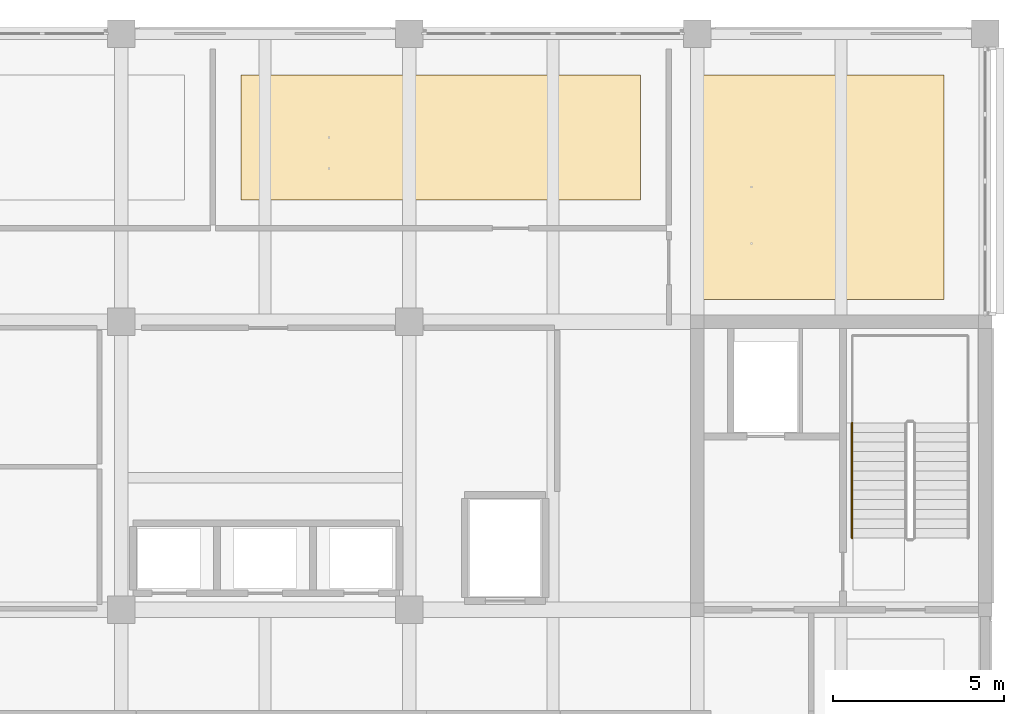
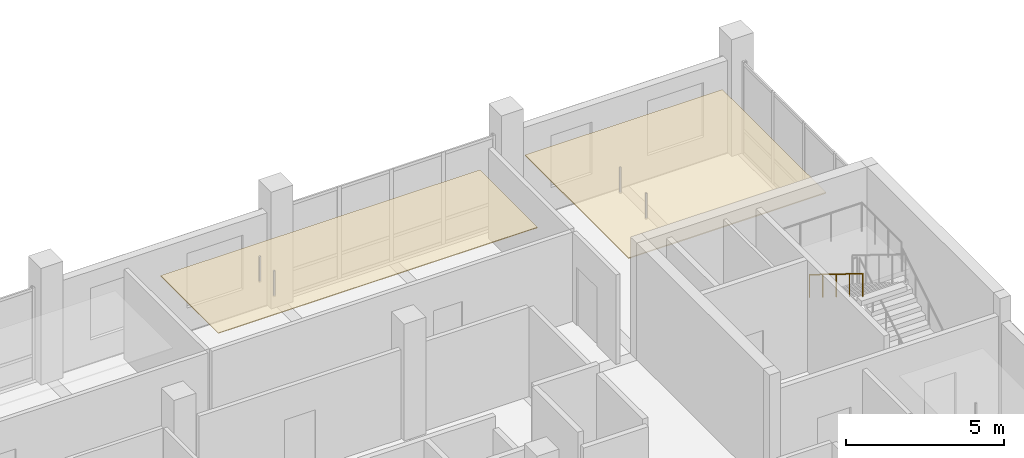
# One storey, part 30 of 34: 2 coverings, 1 railing.
"""IFC4 building model written with IfcOpenShell, lengths in metres."""

from ifc_helpers import new_model, si_unit, direction, frame, origin, origin_2d, place, context, subcontext, project, spatial, polyline, circle, outline, extrude, material, layer, layer_set, type_object, element, save


model = new_model("IFC4")

# Units and contexts
model_context = context("Model", 3, precision=1e-05, world=origin(), true_north=direction((0.0, 1.0)))
body_context = subcontext(model_context, "Body", "Model", "MODEL_VIEW")
ifc_project = project(units=[si_unit("LENGTHUNIT", "METRE"), si_unit("AREAUNIT", "SQUARE_METRE"), si_unit("VOLUMEUNIT", "CUBIC_METRE"), si_unit("PLANEANGLEUNIT", "RADIAN"), si_unit("MASSUNIT", "GRAM", prefix="KILO")], contexts=[model_context])

# Site, building, storey
site_placement = place(None, origin())
site = spatial("IfcSite", under=ifc_project, at=site_placement, CompositionType="ELEMENT")
building_placement = place(site_placement, origin())
building = spatial("IfcBuilding", under=site, at=building_placement, Name="Telukmera Botanical Conservatory", CompositionType="ELEMENT")
storey_placement = place(building_placement, frame((0.0, 0.0, 37.5)))
storey = spatial("IfcBuildingStorey", under=building, at=storey_placement, Name="L08", CompositionType="ELEMENT", Elevation=37.5)

# Coverings
ifc_material_1 = material(Name="Mineral fibre acoustic ceiling")
ifc_layer_1 = layer(ifc_material_1, 0.030029296875)
ifc_layer_set_1 = layer_set([ifc_layer_1], Name="Mineral fibre acoustic ceiling")
covering_type_1 = type_object("IfcCoveringType", Name="COV-CEIL-30", PredefinedType="CEILING", material=ifc_layer_set_1)
covering_1_placement = place(storey_placement, frame((0.0, 0.0, 3.320068359375)))
element("IfcCovering", 1, at=covering_1_placement, inside=storey, type_object=covering_type_1, Name="L08 Cell Biology Microscopy Laboratory Suspended Acoustic Ceiling", PredefinedType="CEILING", context=body_context, shape_type="SweptSolid", body=[
    extrude(outline(polyline([(79.10009765625, 37.949951171875), (90.75, 37.949951171875), (90.75, 41.60009765625), (79.10009765625, 41.60009765625), (79.10009765625, 37.949951171875)])), origin(), (0.0, 0.0, 1.0), 0.030029296875),
])
ifc_material_2 = material(Name="Perforated gypsum acoustic ceiling")
ifc_layer_2 = layer(ifc_material_2, 0.0400390625)
ifc_layer_set_2 = layer_set([ifc_layer_2], Name="Perforated gypsum acoustic ceiling")
covering_type_2 = type_object("IfcCoveringType", Name="COV-CEIL-40", PredefinedType="CEILING", material=ifc_layer_set_2)
covering_2_placement = place(storey_placement, frame((0.0, 0.0, 3.31005859375)))
element("IfcCovering", 2, at=covering_2_placement, inside=storey, type_object=covering_type_2, Name="L08 Research Seminar Studio Suspended Acoustic Ceiling", PredefinedType="CEILING", context=body_context, shape_type="SweptSolid", body=[
    extrude(outline(polyline([(92.39990234375, 35.050048828125), (99.60009765625, 35.050048828125), (99.60009765625, 41.60009765625), (92.39990234375, 41.60009765625), (92.39990234375, 35.050048828125)])), origin(), (0.0, 0.0, 1.0), 0.0400390625),
])

# Railing
ifc_material_3 = material(Name="Stainless steel 316", Category="steel")
railing_type = type_object("IfcRailingType", Name="RL-HAND-900", PredefinedType="HANDRAIL", material=ifc_material_3)
railing_placement = place(storey_placement, frame((96.919921875, 31.449951171875, 2.423095703125)))
element("IfcRailing", 3, at=railing_placement, inside=storey, type_object=railing_type, Name="L08 ST2 stair handrail 2", PredefinedType="HANDRAIL", context=body_context, shape_type="SweptSolid", body=[
    extrude(circle(Radius=0.02392578125, at=origin_2d()), frame((0.0, 0.0, 0.8759765625), z_axis=(0.0, -0.850606129759, 0.525803396734), x_axis=(1.0, 0.0, 0.0)), (0.0, 0.0, 1.0), 3.949951171875),
    extrude(circle(Radius=0.02099609375, at=origin_2d()), origin(), (0.0, 0.0, 1.0), 0.851806640625),
    extrude(circle(Radius=0.02099609375, at=origin_2d()), frame((0.0, -0.83984375, 0.519287109375)), (0.0, 0.0, 1.0), 0.851806640625),
    extrude(circle(Radius=0.02099609375, at=origin_2d()), frame((0.0, -1.679931640625, 1.03857421875)), (0.0, 0.0, 1.0), 0.851806640625),
    extrude(circle(Radius=0.02099609375, at=origin_2d()), frame((0.0, -2.52001953125, 1.5576171875)), (0.0, 0.0, 1.0), 0.851806640625),
    extrude(circle(Radius=0.02099609375, at=origin_2d()), frame((0.0, -3.35986328125, 2.076904296875)), (0.0, 0.0, 1.0), 0.851806640625),
])

save(model, "model.ifc")
